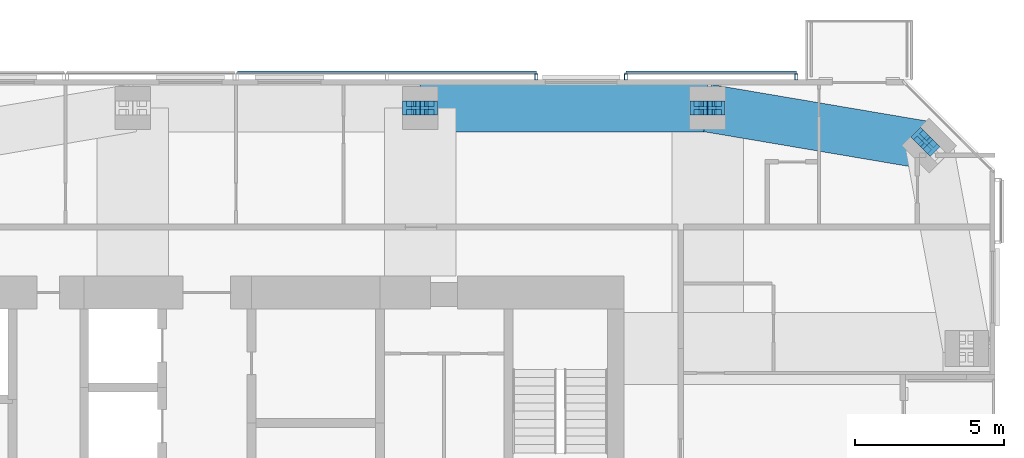
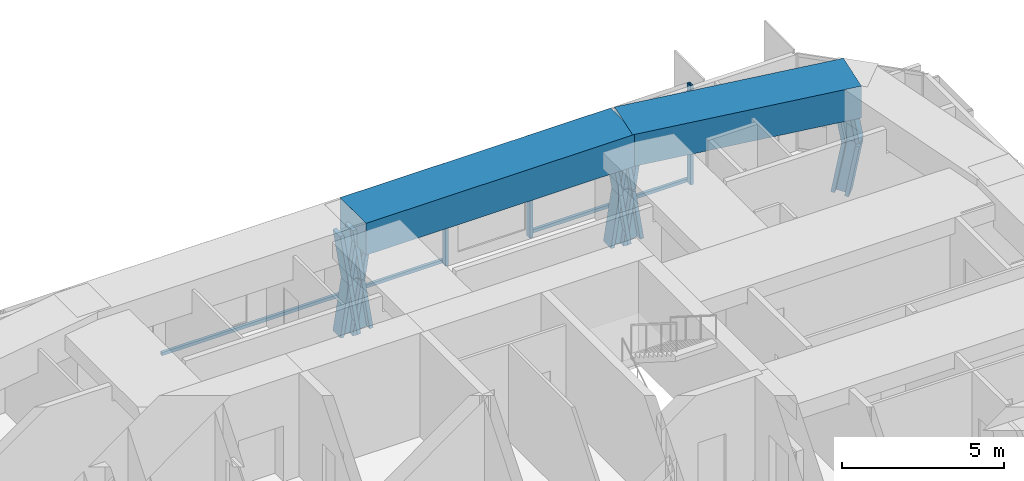
# One storey, part 11 of 20: 15 members, 2 beams, 2 elements without a shape of their own.
"""IFC4 building model written with IfcOpenShell, lengths in metres."""

from ifc_helpers import new_model, si_unit, direction, frame, origin, origin_2d, place, context, subcontext, project, spatial, rectangle, hollow_rectangle, i_section, extrude, material, material_profile, profile_set, type_object, element, aggregate, save


model = new_model("IFC4")

# Units and contexts
model_context = context("Model", 3, precision=1e-05, world=origin(), true_north=direction((0.0, 1.0)))
body_context = subcontext(model_context, "Body", "Model", "MODEL_VIEW")
ifc_project = project(units=[si_unit("LENGTHUNIT", "METRE"), si_unit("AREAUNIT", "SQUARE_METRE"), si_unit("VOLUMEUNIT", "CUBIC_METRE"), si_unit("PLANEANGLEUNIT", "RADIAN"), si_unit("MASSUNIT", "GRAM", prefix="KILO")], contexts=[model_context])

# Site, building, storey
site_placement = place(None, origin())
site = spatial("IfcSite", under=ifc_project, at=site_placement, CompositionType="ELEMENT")
building_placement = place(site_placement, origin())
building = spatial("IfcBuilding", under=site, at=building_placement, Name="Jalousie Tower", CompositionType="ELEMENT")
storey_placement = place(building_placement, frame((0.0, 0.0, 263.85009765625)))
storey = spatial("IfcBuildingStorey", under=building, at=storey_placement, Name="L72", CompositionType="ELEMENT", Elevation=263.85009765625)

# Members
ifc_material_1 = material(Name="Steel ASTM A992 Grade 50", Category="steel")
ifc_material_profile_1 = material_profile(ifc_material_1, i_section(OverallWidth=0.472412109375, OverallDepth=0.5791015625, WebThickness=0.094970703125, FlangeThickness=0.1298828125, at=origin_2d()), Name="W14X808")
ifc_profile_set_1 = profile_set([ifc_material_profile_1], Name="Steel ASTM A992 Grade 50")
member_type_1 = type_object("IfcMemberType", Name="PERIMETER BRACE W14X808", PredefinedType="BRACE", material=ifc_profile_set_1)
for number, where, z_axis, x_axis, name in (
    (1, (54.29296875, 31.79296875, 1.349853515625), (-0.124960137712, 0.124836902862, 0.984276745467), (-0.706757851183, -0.707455539091, 0.0), "Perimeter brace 08 L72 part 2"),
    (2, (54.04541015625, 32.040283203125, -0.60009765625), (0.124960137712, -0.124836902862, 0.984276745467), (0.706757851183, 0.707455539091, 0.0), "Perimeter brace 08 L72 part 3"),
):
    element("IfcMember", number, at=place(storey_placement, frame(where, z_axis=z_axis, x_axis=x_axis)), inside=storey, type_object=member_type_1, Name=name, PredefinedType="BRACE", context=body_context, shape_type="SweptSolid", body=[
        extrude(i_section(OverallWidth=0.472412109375, OverallDepth=0.5791015625, WebThickness=0.094970703125, FlangeThickness=0.1298828125, at=origin_2d()), origin(), (0.0, 0.0, 1.0), 1.981201171875),
    ])
for number, where, z_axis, x_axis, name in (
    (3, (46.574951171875, 33.050048828125, -0.60009765625), (0.152085080919, 0.0, 0.988367405453), (0.0, 1.0, 0.0), "Perimeter brace 09 L72 part 1"),
    (4, (46.875, 33.050048828125, 1.349853515625), (0.152085080919, 0.0, 0.988367405453), (0.0, 1.0, 0.0), "Perimeter brace 09 L72 part 2"),
    (5, (47.175048828125, 33.050048828125, -0.60009765625), (-0.152085080919, 0.0, 0.988367405453), (0.0, -1.0, 0.0), "Perimeter brace 09 L72 part 3"),
    (6, (46.875, 33.050048828125, 1.349853515625), (-0.152085080919, 0.0, 0.988367405453), (0.0, -1.0, 0.0), "Perimeter brace 09 L72 part 4"),
    (7, (36.949951171875, 33.050048828125, -0.60009765625), (0.152085080919, 0.0, 0.988367405453), (0.0, 1.0, 0.0), "Perimeter brace 10 L72 part 1"),
    (8, (37.25, 33.050048828125, 1.349853515625), (0.152085080919, 0.0, 0.988367405453), (0.0, 1.0, 0.0), "Perimeter brace 10 L72 part 2"),
    (9, (37.550048828125, 33.050048828125, -0.60009765625), (-0.152085080919, 0.0, 0.988367405453), (0.0, -1.0, 0.0), "Perimeter brace 10 L72 part 3"),
    (10, (37.25, 33.050048828125, 1.349853515625), (-0.152085080919, 0.0, 0.988367405453), (0.0, -1.0, 0.0), "Perimeter brace 10 L72 part 4"),
):
    element("IfcMember", number, at=place(storey_placement, frame(where, z_axis=z_axis, x_axis=x_axis)), inside=storey, type_object=member_type_1, Name=name, PredefinedType="BRACE", context=body_context, shape_type="SweptSolid", body=[
        extrude(i_section(OverallWidth=0.472412109375, OverallDepth=0.5791015625, WebThickness=0.094970703125, FlangeThickness=0.1298828125, at=origin_2d()), origin(), (0.0, 0.0, 1.0), 1.972900390625),
    ])

# Beams
ifc_material_2 = material(Name="Concrete f'c 40 MPa", Category="concrete")
ifc_material_profile_2 = material_profile(ifc_material_2, rectangle(XDim=1.60009765625, YDim=1.199951171875, at=origin_2d()), Name="RC 1600x1200")
ifc_profile_set_2 = profile_set([ifc_material_profile_2], Name="Concrete f'c 40 MPa")
beam_type = type_object("IfcBeamType", Name="RC BEAM 1600x1200", PredefinedType="BEAM", material=ifc_profile_set_2)
beam_1_placement = place(storey_placement, frame((54.29296875, 31.79296875, 3.2998046875), z_axis=(-0.985942997446, 0.167082033105, 0.0), x_axis=(-0.167082033105, -0.985942997446, 0.0)))
element("IfcBeam", 11, at=beam_1_placement, inside=storey, type_object=beam_type, Name="Edge band beam 08-09 under L73", PredefinedType="BEAM", context=body_context, shape_type="SweptSolid", body=[
    extrude(rectangle(XDim=1.60009765625, YDim=1.199951171875, at=origin_2d()), origin(), (0.0, 0.0, 1.0), 7.523681640625),
])
beam_2_placement = place(storey_placement, frame((46.875, 33.050048828125, 3.2998046875), z_axis=(-1.0, 0.0, 0.0), x_axis=(0.0, -1.0, 0.0)))
element("IfcBeam", 12, at=beam_2_placement, inside=storey, type_object=beam_type, Name="Edge band beam 09-10 under L73", PredefinedType="BEAM", context=body_context, shape_type="SweptSolid", body=[
    extrude(rectangle(XDim=1.60009765625, YDim=1.199951171875, at=origin_2d()), origin(), (0.0, 0.0, 1.0), 9.625),
])

# Curtain wall, members
ifc_material_3 = material(Name="Perforated aluminium sheet", Category="aluminium")
curtain_wall_type = type_object("IfcCurtainWallType", Name="SOLAR SCREEN SS-2", PredefinedType="USERDEFINED", material=ifc_material_3)
curtain_wall_1_placement = place(storey_placement, origin())
curtain_wall_1 = element("IfcCurtainWall", 13, at=curtain_wall_1_placement, inside=storey, type_object=curtain_wall_type, Name="Solar screen L72", ObjectType="SOLAR SCREEN SS-2", PredefinedType="USERDEFINED")
ifc_material_4 = material(Name="Steel ASTM A500 Grade C", Category="steel")
ifc_material_profile_3 = material_profile(ifc_material_4, hollow_rectangle(XDim=0.1015625, YDim=0.203125, WallThickness=0.0078125, at=origin_2d()), Name="HSS8X4X5/16")
ifc_profile_set_3 = profile_set([ifc_material_profile_3], Name="Steel ASTM A500 Grade C")
member_type_2 = type_object("IfcMemberType", Name="SOLAR SCREEN SS-2 MULLION", PredefinedType="MULLION", material=ifc_profile_set_3)
member_1_placement = place(storey_placement, frame((49.8486328125, 34.0966796875, -0.1201171875), z_axis=(0.0, 0.0, 1.0), x_axis=(-1.0, 0.0, 0.0)))
member_1 = element("IfcMember", 14, at=member_1_placement, type_object=member_type_2, Name="SS2 post 1", PredefinedType="MULLION", context=body_context, shape_type="SweptSolid", body=[
    extrude(hollow_rectangle(XDim=0.1015625, YDim=0.203125, WallThickness=0.0078125, at=origin_2d()), origin(), (0.0, 0.0, 1.0), 3.739990234375),
])
member_2_placement = place(storey_placement, frame((44.138671875, 34.0966796875, -0.1201171875), z_axis=(0.0, 0.0, 1.0), x_axis=(-1.0, 0.0, 0.0)))
member_2 = element("IfcMember", 15, at=member_2_placement, type_object=member_type_2, Name="SS2 post 2", PredefinedType="MULLION", context=body_context, shape_type="SweptSolid", body=[
    extrude(hollow_rectangle(XDim=0.1015625, YDim=0.203125, WallThickness=0.0078125, at=origin_2d()), origin(), (0.0, 0.0, 1.0), 3.739990234375),
])

# Curtain wall, member
curtain_wall_2_placement = place(storey_placement, origin())
curtain_wall_2 = element("IfcCurtainWall", 16, at=curtain_wall_2_placement, inside=storey, type_object=curtain_wall_type, Name="Solar screen L72", ObjectType="SOLAR SCREEN SS-2", PredefinedType="USERDEFINED")
member_3_placement = place(storey_placement, frame((41.138671875, 34.0966796875, -0.1201171875), z_axis=(0.0, 0.0, 1.0), x_axis=(-1.0, 0.0, 0.0)))
member_3 = element("IfcMember", 17, at=member_3_placement, type_object=member_type_2, Name="SS2 post 1", PredefinedType="MULLION", context=body_context, shape_type="SweptSolid", body=[
    extrude(hollow_rectangle(XDim=0.1015625, YDim=0.203125, WallThickness=0.0078125, at=origin_2d()), origin(), (0.0, 0.0, 1.0), 3.739990234375),
])

# Member
ifc_material_5 = material(Name="Extruded aluminium screen rail", Category="aluminium")
ifc_material_profile_4 = material_profile(ifc_material_5, rectangle(XDim=0.1015625, YDim=0.1201171875, at=origin_2d()), Name="RAIL 102x120")
ifc_profile_set_4 = profile_set([ifc_material_profile_4], Name="Extruded aluminium screen rail")
member_type_3 = type_object("IfcMemberType", Name="SOLAR SCREEN SS-2 TRANSOM", PredefinedType="USERDEFINED", material=ifc_profile_set_4)
member_4_placement = place(storey_placement, frame((49.8486328125, 34.2490234375, -0.06005859375), z_axis=(-1.0, 0.0, 0.0), x_axis=(0.0, -1.0, 0.0)))
member_4 = element("IfcMember", 18, at=member_4_placement, type_object=member_type_3, Name="SS2 rail", ObjectType="TRANSOM", PredefinedType="USERDEFINED", context=body_context, shape_type="SweptSolid", body=[
    extrude(rectangle(XDim=0.1015625, YDim=0.1201171875, at=origin_2d()), origin(), (0.0, 0.0, 1.0), 5.7099609375),
])

aggregate(curtain_wall_1, [member_1, member_2, member_4])

member_5_placement = place(storey_placement, frame((41.138671875, 34.2490234375, -0.06005859375), z_axis=(-1.0, 0.0, 0.0), x_axis=(0.0, -1.0, 0.0)))
member_5 = element("IfcMember", 19, at=member_5_placement, type_object=member_type_3, Name="SS2 rail", ObjectType="TRANSOM", PredefinedType="USERDEFINED", context=body_context, shape_type="SweptSolid", body=[
    extrude(rectangle(XDim=0.1015625, YDim=0.1201171875, at=origin_2d()), origin(), (0.0, 0.0, 1.0), 10.013671875),
])

aggregate(curtain_wall_2, [member_3, member_5])

save(model, "model.ifc")
